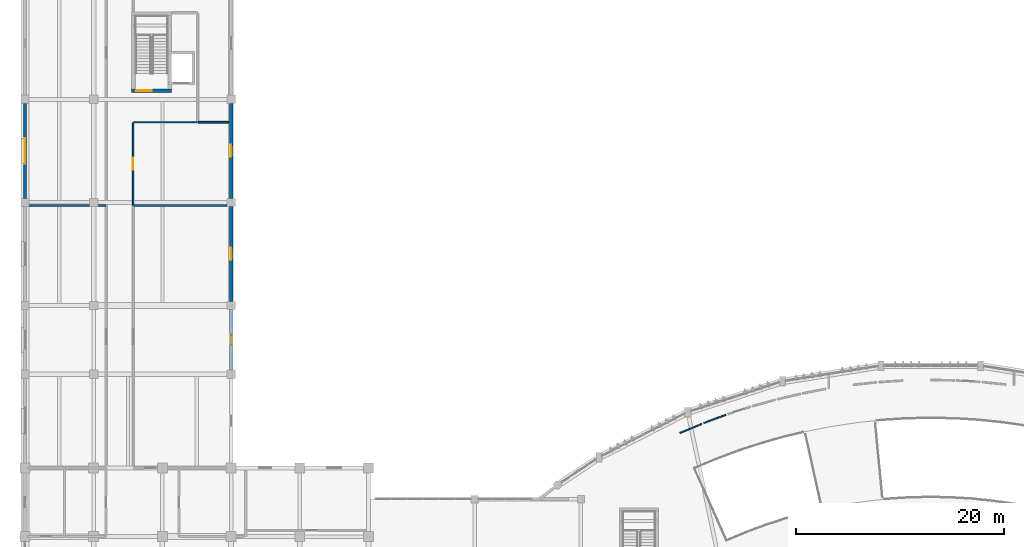
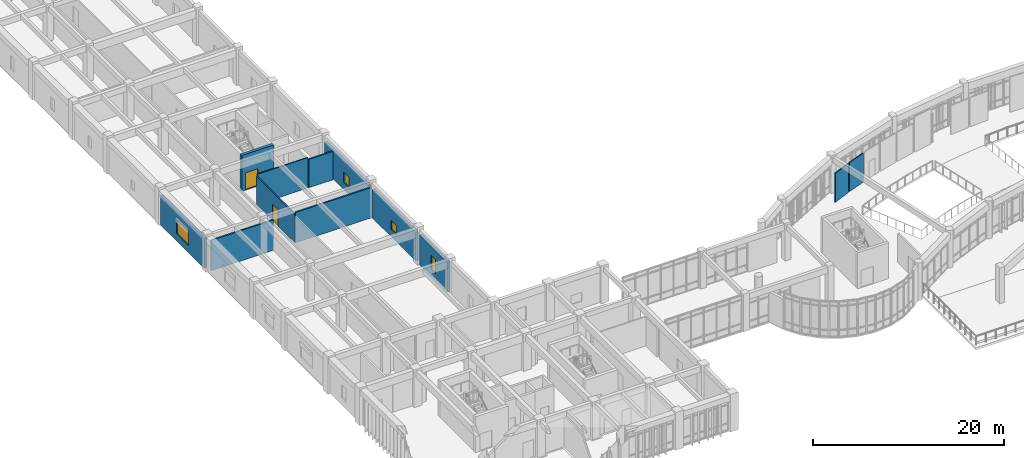
# One storey, part 49 of 65: 12 walls, 4 windows, 2 doors, 6 openings.
"""IFC4 building model written with IfcOpenShell, lengths in metres."""

import ifcopenshell
import ifcopenshell.guid

model = None  # the IFC model being written
_history = None  # IfcOwnerHistory: only IFC2X3 demands one
_inside = {}  # id of a spatial element -> (the spatial element, [elements in it])
_under = {}  # id of a project, library or spatial element -> (it, [spatial elements below it])
_declared = {}  # id of a project -> (the project, [libraries it declares])
_typed = {}  # id of a type object -> (the type object, [elements of that type])
_made_of = {}  # id of a material, layer set ... -> (it, [elements and type objects made of it])


def new_model(schema):
    """Start an empty IFC model of exactly this schema.

    Asked for "IFC4X3", IfcOpenShell would pick the latest addendum, in which some entities
    have other attributes; the version numbers below select the first issue.
    IFC2X3 requires an IfcOwnerHistory on every rooted entity: one is made here for all.
    """
    global model, _history
    if schema == "IFC4X3":
        model = ifcopenshell.file(schema_version=(4, 3, 0, 0))
    else:
        model = ifcopenshell.file(schema=schema)
    _inside.clear()
    _under.clear()
    _declared.clear()
    _typed.clear()
    _made_of.clear()
    _history = None
    if model.schema == "IFC2X3":
        org = make("IfcOrganization", Name="unknown")
        user = make(
            "IfcPersonAndOrganization",
            ThePerson=make("IfcPerson", FamilyName="unknown"),
            TheOrganization=org,
        )
        app = make(
            "IfcApplication",
            ApplicationDeveloper=org,
            Version="unknown",
            ApplicationFullName="unknown",
            ApplicationIdentifier="unknown",
        )
        _history = make(
            "IfcOwnerHistory",
            OwningUser=user,
            OwningApplication=app,
            ChangeAction="ADDED",
            CreationDate=0,
        )
    return model


def make(cls, **values):
    """One entity of the class cls with the attributes given. An attribute that is None is left unset."""
    return model.create_entity(
        cls, **{name: value for name, value in values.items() if value is not None}
    )


def rooted(cls, **values):
    """An entity with a GlobalId (a new one), such as an element, a storey or a relation."""
    return make(cls, GlobalId=ifcopenshell.guid.new(), OwnerHistory=_history, **values)


def si_unit(unit_type, name, prefix=None):
    """IfcSIUnit, for example si_unit("LENGTHUNIT", "METRE", prefix="MILLI")."""
    return make("IfcSIUnit", UnitType=unit_type, Prefix=prefix, Name=name)


def assignment(units):
    """IfcUnitAssignment: the units of a project."""
    return None if units is None else make("IfcUnitAssignment", Units=units)


def point(xyz):
    """IfcCartesianPoint."""
    return None if xyz is None else make("IfcCartesianPoint", Coordinates=xyz)


def direction(xyz):
    """IfcDirection."""
    return None if xyz is None else make("IfcDirection", DirectionRatios=xyz)


def frame(location, z_axis=None, x_axis=None):
    """IfcAxis2Placement3D, a coordinate frame: its origin and axes. An axis left out is left unset."""
    return make(
        "IfcAxis2Placement3D",
        Location=point(location),
        Axis=direction(z_axis),
        RefDirection=direction(x_axis),
    )


def frame_2d(location, x_axis=None):
    """IfcAxis2Placement2D, a coordinate frame in the plane: its origin and x axis."""
    return make(
        "IfcAxis2Placement2D", Location=point(location), RefDirection=direction(x_axis)
    )


def origin():
    """The frame at (0, 0, 0) with its axes left unset."""
    return frame((0.0, 0.0, 0.0))


def place(relative_to, where):
    """IfcLocalPlacement: puts the frame where relative to a parent placement (None: the world)."""
    return make(
        "IfcLocalPlacement", PlacementRelTo=relative_to, RelativePlacement=where
    )


def context(
    kind, dimensions, precision=None, world=None, true_north=None, identifier=None
):
    """IfcGeometricRepresentationContext, for example the 3D "Model" context."""
    return make(
        "IfcGeometricRepresentationContext",
        ContextIdentifier=identifier,
        ContextType=kind,
        CoordinateSpaceDimension=dimensions,
        Precision=precision,
        WorldCoordinateSystem=world,
        TrueNorth=true_north,
    )


def subcontext(parent, identifier, kind, view, scale=None):
    """IfcGeometricRepresentationSubContext, for example "Body" below "Model"."""
    return make(
        "IfcGeometricRepresentationSubContext",
        ContextIdentifier=identifier,
        ContextType=kind,
        ParentContext=parent,
        TargetScale=scale,
        TargetView=view,
    )


def project(units=None, contexts=None):
    """IfcProject with its units and contexts."""
    return rooted(
        "IfcProject",
        Name="project",
        RepresentationContexts=contexts,
        UnitsInContext=assignment(units),
    )


def spatial(cls, under=None, at=None, **own):
    """A site, building, storey or space (cls), placed at a placement, below another one or the project."""
    s = rooted(cls, ObjectPlacement=at, **own)
    if under is not None:
        _under.setdefault(under.id(), (under, []))[1].append(s)
    return s


def profile(cls, at=None, kind="AREA", **sizes):
    """A parametric profile (cls). Its sizes go by their IFC names, for example OverallWidth=200.0."""
    return make(cls, ProfileType=kind, Position=at, **sizes)


def rectangle(**sizes):
    """IfcRectangleProfileDef."""
    return profile("IfcRectangleProfileDef", **sizes)


def extrude(swept, where, along, depth):
    """IfcExtrudedAreaSolid: the profile swept, set in the frame where, extruded along a direction by depth."""
    return make(
        "IfcExtrudedAreaSolid",
        SweptArea=swept,
        Position=where,
        ExtrudedDirection=direction(along),
        Depth=depth,
    )


def shape(context_of_items, identifier, shape_type, items):
    """IfcShapeRepresentation: the items that make up one representation, for example the "Body"."""
    return make(
        "IfcShapeRepresentation",
        ContextOfItems=context_of_items,
        RepresentationIdentifier=identifier,
        RepresentationType=shape_type,
        Items=items,
    )


def material(Name=None, Category=None):
    """IfcMaterial."""
    return make("IfcMaterial", Name=Name, Category=Category)


def layer(
    of_material, thickness, ventilated=None, Name=None, Category=None, Priority=None
):
    """IfcMaterialLayer: one layer of a wall or slab, of a material (None: an air gap)."""
    return make(
        "IfcMaterialLayer",
        Material=of_material,
        LayerThickness=thickness,
        IsVentilated=ventilated,
        Name=Name,
        Category=Category,
        Priority=Priority,
    )


def layer_set(layers, Name=None):
    """IfcMaterialLayerSet."""
    return make("IfcMaterialLayerSet", MaterialLayers=layers, LayerSetName=Name)


def made_of(thing, what):
    """Note that an element or type object is made of a material, layer set ...; save() writes the relation."""
    if what is not None:
        _made_of.setdefault(what.id(), (what, []))[1].append(thing)
    return thing


def type_object(cls, material=None, **own):
    """A type object (cls), such as IfcWallType, which elements share."""
    return made_of(rooted(cls, **own), material)


def element(
    cls,
    number,
    at=None,
    inside=None,
    cuts=None,
    type_object=None,
    material=None,
    context=None,
    identifier="Body",
    shape_type=None,
    held_by="IfcProductDefinitionShape",
    body=None,
    shapes=None,
    **own,
):
    """One element of the class cls, such as IfcWall. Its Tag is "e" and its number.

    at: its placement. inside: the storey or other place that contains it. cuts: it is an
    opening in that element (IfcRelVoidsElement). A single representation is given by context,
    identifier, shape_type and body (its items); several are given by shapes. held_by: the class
    of the entity that holds the representations. save() writes the other relations.
    """
    e = rooted(cls, Tag="e%d" % number, ObjectPlacement=at, **own)
    if body is not None:
        shapes = [shape(context, identifier, shape_type, body)]
    if shapes is not None:
        e.Representation = make(held_by, Representations=shapes)
    if inside is not None:
        _inside.setdefault(inside.id(), (inside, []))[1].append(e)
    if cuts is not None:
        rooted(
            "IfcRelVoidsElement", RelatingBuildingElement=cuts, RelatedOpeningElement=e
        )
    if type_object is not None:
        _typed.setdefault(type_object.id(), (type_object, []))[1].append(e)
    return made_of(e, material)


def fill(opening, filler):
    """IfcRelFillsElement: the door or window that sits in an opening."""
    return rooted(
        "IfcRelFillsElement",
        RelatingOpeningElement=opening,
        RelatedBuildingElement=filler,
    )


def aggregate(whole, parts):
    """IfcRelAggregates: a whole, such as a stair, and the parts it consists of."""
    return rooted("IfcRelAggregates", RelatingObject=whole, RelatedObjects=parts)


def save(model, path):
    """Write the relations noted so far, then the file.

    IfcRelAggregates (storeys below a building ...), IfcRelContainedInSpatialStructure (elements
    in a storey), IfcRelDefinesByType, IfcRelAssociatesMaterial and IfcRelDeclares: one each for
    every whole, place, type object, material and project.
    """
    for whole, parts in _under.values():
        aggregate(whole, parts)
    for where, things in _inside.values():
        rooted(
            "IfcRelContainedInSpatialStructure",
            RelatedElements=things,
            RelatingStructure=where,
        )
    for kind, things in _typed.values():
        rooted("IfcRelDefinesByType", RelatedObjects=things, RelatingType=kind)
    for what, things in _made_of.values():
        rooted("IfcRelAssociatesMaterial", RelatedObjects=things, RelatingMaterial=what)
    for by, libraries in _declared.values():
        rooted("IfcRelDeclares", RelatingContext=by, RelatedDefinitions=libraries)
    model.write(path)


model = new_model("IFC4")

# Units and contexts
model_context = context("Model", 3, precision=1e-05, world=origin(), true_north=direction((0.0, 1.0)))
body_context = subcontext(model_context, "Body", "Model", "MODEL_VIEW")
ifc_project = project(units=[si_unit("LENGTHUNIT", "METRE"), si_unit("AREAUNIT", "SQUARE_METRE"), si_unit("VOLUMEUNIT", "CUBIC_METRE"), si_unit("PLANEANGLEUNIT", "RADIAN"), si_unit("MASSUNIT", "GRAM", prefix="KILO")], contexts=[model_context])

# Site, building, storey
site_placement = place(None, origin())
site = spatial("IfcSite", under=ifc_project, at=site_placement, CompositionType="ELEMENT")
building_placement = place(site_placement, origin())
building = spatial("IfcBuilding", under=site, at=building_placement, Name="Miralva Faculty of Natural Sciences", CompositionType="ELEMENT")
storey_placement = place(building_placement, frame((0.0, 0.0, 10.199951171875)))
storey = spatial("IfcBuildingStorey", under=building, at=storey_placement, Name="L02", CompositionType="ELEMENT", Elevation=10.199951171875)

# Wall, opening, door
ifc_material_1 = material(Name="Concrete C50/60", Category="concrete")
ifc_layer_1 = layer(ifc_material_1, 0.35009765625, Name="WL-CW02")
ifc_layer_set_1 = layer_set([ifc_layer_1], Name="Concrete C50/60")
wall_type_1 = type_object("IfcWallType", Name="WL-CW02", PredefinedType="SHEAR", material=ifc_layer_set_1)
wall_1_placement = place(storey_placement, frame((13.25, 66.22509765625, 0.0), z_axis=(0.0, 0.0, 1.0), x_axis=(1.0, 0.0, 0.0)))
wall_1 = element("IfcWall", 1, at=wall_1_placement, inside=storey, type_object=wall_type_1, Name="Core C2 shear wall south L02", PredefinedType="SHEAR", context=body_context, shape_type="SweptSolid", body=[
    extrude(rectangle(XDim=3.85009765625, YDim=0.35009765625, at=frame_2d((1.925048828125, 0.0))), origin(), (0.0, 0.0, 1.0), 4.580078125),
])
opening_1_placement = place(wall_1_placement, frame((0.449951171875, 0.0, 0.0)))
opening_1 = element("IfcOpeningElement", 2, at=opening_1_placement, cuts=wall_1, Name="Opening D-11", PredefinedType="OPENING", context=body_context, shape_type="SweptSolid", body=[
    extrude(rectangle(XDim=1.5, YDim=2.199951171875, at=frame_2d((0.75, 1.10009765625))), frame((0.0, 0.18505859375, 0.0), z_axis=(0.0, -1.0, 0.0), x_axis=(1.0, 0.0, 0.0)), (0.0, 0.0, 1.0), 0.3701171875),
])
ifc_material_2 = material(Name="Galvanised steel", Category="steel")
door_type_1 = type_object("IfcDoorType", Name="DR-DI11", OperationType="DOUBLE_DOOR_SINGLE_SWING", PredefinedType="DOOR", material=ifc_material_2)
door_1_placement = place(opening_1_placement, frame((1.5, 0.0, 0.0), z_axis=(0.0, 0.0, 1.0), x_axis=(-1.0, 0.0, 0.0)))
door_1 = element("IfcDoor", 3, at=door_1_placement, inside=storey, type_object=door_type_1, Name="Protected exit stair door Core C2 L02", OperationType="DOUBLE_DOOR_SINGLE_SWING", OverallHeight=2.199951171875, OverallWidth=1.5, PredefinedType="DOOR", context=body_context, shape_type="SweptSolid", body=[
    extrude(rectangle(XDim=1.5, YDim=2.199951171875, at=frame_2d((0.75, 1.10009765625))), frame((0.0, 0.02490234375, 0.0), z_axis=(0.0, -1.0, 0.0), x_axis=(1.0, 0.0, 0.0)), (0.0, 0.0, 1.0), 0.050048828125),
])
fill(opening_1, door_1)

# Walls
ifc_material_3 = material(Name="Gypsum plasterboard")
ifc_layer_2 = layer(ifc_material_3, 0.179931640625, Name="WL-PT02")
ifc_layer_set_2 = layer_set([ifc_layer_2], Name="Gypsum plasterboard")
wall_type_2 = type_object("IfcWallType", Name="WL-PT02", PredefinedType="PARTITIONING", material=ifc_layer_set_2)
wall_2_placement = place(storey_placement, frame((3.22998046875, 55.199951171875, 0.0), z_axis=(0.0, 0.0, 1.0), x_axis=(1.0, 0.0, 0.0)))
element("IfcWall", 4, at=wall_2_placement, inside=storey, type_object=wall_type_2, Name="Interior partition PT-02 L02-304", PredefinedType="PARTITIONING", context=body_context, shape_type="SweptSolid", body=[
    extrude(rectangle(XDim=7.5400390625, YDim=0.179931640625, at=frame_2d((3.77001953125, 0.0))), origin(), (0.0, 0.0, 1.0), 3.875),
])
wall_3_placement = place(storey_placement, frame((13.429931640625, 55.199951171875, 0.0), z_axis=(0.0, 0.0, 1.0), x_axis=(1.0, 0.0, 0.0)))
element("IfcWall", 5, at=wall_3_placement, inside=storey, type_object=wall_type_2, Name="Interior partition PT-02 L02-306", PredefinedType="PARTITIONING", context=body_context, shape_type="SweptSolid", body=[
    extrude(rectangle(XDim=9.14013671875, YDim=0.179931640625, at=frame_2d((4.570068359375, 0.0))), origin(), (0.0, 0.0, 1.0), 3.875),
])
wall_4_placement = place(storey_placement, frame((19.6298828125, 63.199951171875, 0.0), z_axis=(0.0, 0.0, 1.0), x_axis=(1.0, 0.0, 0.0)))
element("IfcWall", 6, at=wall_4_placement, inside=storey, type_object=wall_type_2, Name="Interior partition PT-02 L02-308", PredefinedType="PARTITIONING", context=body_context, shape_type="SweptSolid", body=[
    extrude(rectangle(XDim=2.940185546875, YDim=0.179931640625, at=frame_2d((1.47021484375, 0.0))), origin(), (0.0, 0.0, 1.0), 3.625),
])

# Wall, opening, door
ifc_layer_3 = layer(ifc_material_3, 0.139892578125, Name="WL-PT04")
ifc_layer_set_3 = layer_set([ifc_layer_3], Name="Gypsum plasterboard")
wall_type_3 = type_object("IfcWallType", Name="WL-PT04", PredefinedType="PARTITIONING", material=ifc_layer_set_3)
wall_5_placement = place(storey_placement, frame((13.39990234375, 55.22998046875, 0.0), z_axis=(0.0, 0.0, 1.0), x_axis=(0.0, 1.0, 0.0)))
wall_5 = element("IfcWall", 7, at=wall_5_placement, inside=storey, type_object=wall_type_3, Name="Interior partition PT-04 L02-309", PredefinedType="PARTITIONING", context=body_context, shape_type="SweptSolid", body=[
    extrude(rectangle(XDim=7.93994140625, YDim=0.139892578125, at=frame_2d((3.969970703125, 0.0))), origin(), (0.0, 0.0, 1.0), 3.675048828125),
])
opening_2_placement = place(wall_5_placement, frame((3.39501953125, 0.0, 0.0)))
opening_2 = element("IfcOpeningElement", 8, at=opening_2_placement, cuts=wall_5, Name="Opening D-24", PredefinedType="OPENING", context=body_context, shape_type="SweptSolid", body=[
    extrude(rectangle(XDim=1.14990234375, YDim=2.14990234375, at=frame_2d((0.574951171875, 1.074951171875))), frame((0.0, 0.079833984375, 0.0), z_axis=(0.0, -1.0, 0.0), x_axis=(1.0, 0.0, 0.0)), (0.0, 0.0, 1.0), 0.159912109375),
])
ifc_material_4 = material(Name="Anodised aluminium", Category="aluminium")
door_type_2 = type_object("IfcDoorType", Name="DR-DI24", OperationType="NOTDEFINED", PredefinedType="DOOR", material=ifc_material_4)
door_2_placement = place(opening_2_placement, origin())
door_2 = element("IfcDoor", 9, at=door_2_placement, inside=storey, type_object=door_type_2, Name="Interior door D-24 L02-115", OperationType="SINGLE_SWING_RIGHT", OverallHeight=2.14990234375, OverallWidth=1.14990234375, PredefinedType="DOOR", context=body_context, shape_type="SweptSolid", body=[
    extrude(rectangle(XDim=1.14990234375, YDim=2.14990234375, at=frame_2d((0.574951171875, 1.074951171875))), frame((0.0, 0.02490234375, 0.0), z_axis=(0.0, -1.0, 0.0), x_axis=(1.0, 0.0, 0.0)), (0.0, 0.0, 1.0), 0.050048828125),
])
fill(opening_2, door_2)

# Walls
wall_6_placement = place(storey_placement, frame((13.455078125, 63.199951171875, 0.0), z_axis=(0.0, 0.0, 1.0), x_axis=(1.0, 0.0, 0.0)))
element("IfcWall", 10, at=wall_6_placement, inside=storey, type_object=wall_type_3, Name="Interior partition PT-04 L02-310", PredefinedType="PARTITIONING", context=body_context, shape_type="SweptSolid", body=[
    extrude(rectangle(XDim=6.114990234375, YDim=0.139892578125, at=frame_2d((3.0576171875, 0.0))), origin(), (0.0, 0.0, 1.0), 3.875),
])
ifc_layer_4 = layer(ifc_material_3, 0.125, Name="WL-PT05")
ifc_layer_set_4 = layer_set([ifc_layer_4], Name="Gypsum plasterboard")
wall_type_4 = type_object("IfcWallType", Name="WL-PT05", PredefinedType="PARTITIONING", material=ifc_layer_set_4)
for number, where, z_axis, x_axis, name in (
    (11, (65.9169921875, 33.35205078125, 0.0), (0.0, 0.0, 1.0), (0.921787384168, 0.38769578072, 0.0), "Interior partition PT-05 L02-263"),
    (12, (68.203369140625, 34.30859375, 0.0), (0.0, 0.0, 1.0), (0.937158790468, 0.348903140497, 0.0), "Interior partition PT-05 L02-264"),
):
    element("IfcWall", number, at=place(storey_placement, frame(where, z_axis=z_axis, x_axis=x_axis)), inside=storey, type_object=wall_type_4, Name=name, PredefinedType="PARTITIONING", context=body_context, shape_type="SweptSolid", body=[
        extrude(rectangle(XDim=2.266357421875, YDim=0.125, at=frame_2d((1.13330078125, 0.0))), origin(), (0.0, 0.0, 1.0), 3.705078125),
    ])

# Wall, opening, window
ifc_material_5 = material(Name="Precast concrete C40/50", Category="concrete")
ifc_layer_5 = layer(ifc_material_5, 0.320068359375, Name="WL-WT02")
ifc_layer_set_5 = layer_set([ifc_layer_5], Name="Precast concrete C40/50")
wall_type_5 = type_object("IfcWallType", Name="WL-WT02", PredefinedType="SOLIDWALL", material=ifc_layer_set_5)
wall_7_placement = place(storey_placement, frame((3.0, 55.885009765625, 0.0), z_axis=(0.0, 0.0, 1.0), x_axis=(0.0, 1.0, 0.0)))
wall_7 = element("IfcWall", 13, at=wall_7_placement, inside=storey, type_object=wall_type_5, Name="Exterior wall L02-215", PredefinedType="SOLIDWALL", context=body_context, shape_type="SweptSolid", body=[
    extrude(rectangle(XDim=9.1298828125, YDim=0.320068359375, at=frame_2d((4.56494140625, 0.0))), origin(), (0.0, 0.0, 1.0), 3.775146484375),
])
opening_3_placement = place(wall_7_placement, frame((3.340087890625, 0.0, 0.89990234375)))
opening_3 = element("IfcOpeningElement", 14, at=opening_3_placement, cuts=wall_7, Name="Opening W-40", PredefinedType="OPENING", context=body_context, shape_type="SweptSolid", body=[
    extrude(rectangle(XDim=2.449951171875, YDim=1.800048828125, at=frame_2d((1.22509765625, 0.89990234375))), frame((0.0, 0.169921875, 0.0), z_axis=(0.0, -1.0, 0.0), x_axis=(1.0, 0.0, 0.0)), (0.0, 0.0, 1.0), 0.340087890625),
])
ifc_material_6 = material(Name="Laminated solar-control glass", Category="glass")
window_type_1 = type_object("IfcWindowType", Name="WN-W40", PartitioningType="DOUBLE_PANEL_VERTICAL", PredefinedType="WINDOW", material=ifc_material_6)
window_1_placement = place(opening_3_placement, origin())
window_1 = element("IfcWindow", 15, at=window_1_placement, inside=storey, type_object=window_type_1, Name="Window W-40 L02-152", OverallHeight=1.800048828125, OverallWidth=2.449951171875, PartitioningType="DOUBLE_PANEL_VERTICAL", PredefinedType="WINDOW", context=body_context, shape_type="SweptSolid", body=[
    extrude(rectangle(XDim=2.449951171875, YDim=1.800048828125, at=frame_2d((1.22509765625, 0.89990234375))), frame((0.0, 0.030029296875, 0.0), z_axis=(0.0, -1.0, 0.0), x_axis=(1.0, 0.0, 0.0)), (0.0, 0.0, 1.0), 0.06005859375),
])
fill(opening_3, window_1)

wall_8_placement = place(storey_placement, frame((22.800048828125, 39.385009765625, 0.0), z_axis=(0.0, 0.0, 1.0), x_axis=(0.0, 1.0, 0.0)))
wall_8 = element("IfcWall", 16, at=wall_8_placement, inside=storey, type_object=wall_type_5, Name="Exterior wall L02-223", PredefinedType="SOLIDWALL", context=body_context, shape_type="SweptSolid", body=[
    extrude(rectangle(XDim=5.830078125, YDim=0.320068359375, at=frame_2d((2.9150390625, 0.0))), origin(), (0.0, 0.0, 1.0), 3.824951171875),
])
opening_4_placement = place(wall_8_placement, frame((2.43994140625, 0.0, 0.89990234375)))
opening_4 = element("IfcOpeningElement", 17, at=opening_4_placement, cuts=wall_8, Name="Opening W-48", PredefinedType="OPENING", context=body_context, shape_type="SweptSolid", body=[
    extrude(rectangle(XDim=0.949951171875, YDim=1.75, at=frame_2d((0.47509765625, 0.875))), frame((0.0, 0.169921875, 0.0), z_axis=(0.0, -1.0, 0.0), x_axis=(1.0, 0.0, 0.0)), (0.0, 0.0, 1.0), 0.340087890625),
])
window_type_2 = type_object("IfcWindowType", Name="WN-W48", PartitioningType="DOUBLE_PANEL_VERTICAL", PredefinedType="WINDOW", material=ifc_material_6)
window_2_placement = place(opening_4_placement, frame((0.949951171875, 0.0, 0.0), z_axis=(0.0, 0.0, 1.0), x_axis=(-1.0, 0.0, 0.0)))
window_2 = element("IfcWindow", 18, at=window_2_placement, inside=storey, type_object=window_type_2, Name="Window W-48 L02-160", OverallHeight=1.75, OverallWidth=0.949951171875, PartitioningType="DOUBLE_PANEL_VERTICAL", PredefinedType="WINDOW", context=body_context, shape_type="SweptSolid", body=[
    extrude(rectangle(XDim=0.949951171875, YDim=1.75, at=frame_2d((0.47509765625, 0.875))), frame((0.0, 0.030029296875, 0.0), z_axis=(0.0, -1.0, 0.0), x_axis=(1.0, 0.0, 0.0)), (0.0, 0.0, 1.0), 0.06005859375),
])
fill(opening_4, window_2)

wall_9_placement = place(storey_placement, frame((22.800048828125, 45.985107421875, 0.0), z_axis=(0.0, 0.0, 1.0), x_axis=(0.0, 1.0, 0.0)))
wall_9 = element("IfcWall", 19, at=wall_9_placement, inside=storey, type_object=wall_type_5, Name="Exterior wall L02-224", PredefinedType="SOLIDWALL", context=body_context, shape_type="SweptSolid", body=[
    extrude(rectangle(XDim=9.1298828125, YDim=0.320068359375, at=frame_2d((4.56494140625, 0.0))), origin(), (0.0, 0.0, 1.0), 3.625),
])
opening_5_placement = place(wall_9_placement, frame((3.989990234375, 0.0, 0.89990234375)))
opening_5 = element("IfcOpeningElement", 20, at=opening_5_placement, cuts=wall_9, Name="Opening W-49", PredefinedType="OPENING", context=body_context, shape_type="SweptSolid", body=[
    extrude(rectangle(XDim=1.14990234375, YDim=1.14990234375, at=frame_2d((0.574951171875, 0.574951171875))), frame((0.0, 0.169921875, 0.0), z_axis=(0.0, -1.0, 0.0), x_axis=(1.0, 0.0, 0.0)), (0.0, 0.0, 1.0), 0.340087890625),
])
window_type_3 = type_object("IfcWindowType", Name="WN-W49", PartitioningType="DOUBLE_PANEL_VERTICAL", PredefinedType="WINDOW", material=ifc_material_6)
window_3_placement = place(opening_5_placement, frame((1.14990234375, 0.0, 0.0), z_axis=(0.0, 0.0, 1.0), x_axis=(-1.0, 0.0, 0.0)))
window_3 = element("IfcWindow", 21, at=window_3_placement, inside=storey, type_object=window_type_3, Name="Window W-49 L02-161", OverallHeight=1.14990234375, OverallWidth=1.14990234375, PartitioningType="DOUBLE_PANEL_VERTICAL", PredefinedType="WINDOW", context=body_context, shape_type="SweptSolid", body=[
    extrude(rectangle(XDim=1.14990234375, YDim=1.14990234375, at=frame_2d((0.574951171875, 0.574951171875))), frame((0.0, 0.030029296875, 0.0), z_axis=(0.0, -1.0, 0.0), x_axis=(1.0, 0.0, 0.0)), (0.0, 0.0, 1.0), 0.06005859375),
])
fill(opening_5, window_3)

wall_10_placement = place(storey_placement, frame((22.800048828125, 55.885009765625, 0.0), z_axis=(0.0, 0.0, 1.0), x_axis=(0.0, 1.0, 0.0)))
wall_10 = element("IfcWall", 22, at=wall_10_placement, inside=storey, type_object=wall_type_5, Name="Exterior wall L02-225", PredefinedType="SOLIDWALL", context=body_context, shape_type="SweptSolid", body=[
    extrude(rectangle(XDim=9.1298828125, YDim=0.320068359375, at=frame_2d((4.56494140625, 0.0))), origin(), (0.0, 0.0, 1.0), 3.625),
])
opening_6_placement = place(wall_10_placement, frame((3.989990234375, 0.0, 0.89990234375)))
opening_6 = element("IfcOpeningElement", 23, at=opening_6_placement, cuts=wall_10, Name="Opening W-50", PredefinedType="OPENING", context=body_context, shape_type="SweptSolid", body=[
    extrude(rectangle(XDim=1.14990234375, YDim=1.35009765625, at=frame_2d((0.574951171875, 0.675048828125))), frame((0.0, 0.169921875, 0.0), z_axis=(0.0, -1.0, 0.0), x_axis=(1.0, 0.0, 0.0)), (0.0, 0.0, 1.0), 0.340087890625),
])
window_type_4 = type_object("IfcWindowType", Name="WN-W50", PartitioningType="DOUBLE_PANEL_VERTICAL", PredefinedType="WINDOW", material=ifc_material_6)
window_4_placement = place(opening_6_placement, frame((1.14990234375, 0.0, 0.0), z_axis=(0.0, 0.0, 1.0), x_axis=(-1.0, 0.0, 0.0)))
window_4 = element("IfcWindow", 24, at=window_4_placement, inside=storey, type_object=window_type_4, Name="Window W-50 L02-162", OverallHeight=1.35009765625, OverallWidth=1.14990234375, PartitioningType="DOUBLE_PANEL_VERTICAL", PredefinedType="WINDOW", context=body_context, shape_type="SweptSolid", body=[
    extrude(rectangle(XDim=1.14990234375, YDim=1.35009765625, at=frame_2d((0.574951171875, 0.675048828125))), frame((0.0, 0.030029296875, 0.0), z_axis=(0.0, -1.0, 0.0), x_axis=(1.0, 0.0, 0.0)), (0.0, 0.0, 1.0), 0.06005859375),
])
fill(opening_6, window_4)

save(model, "model.ifc")
